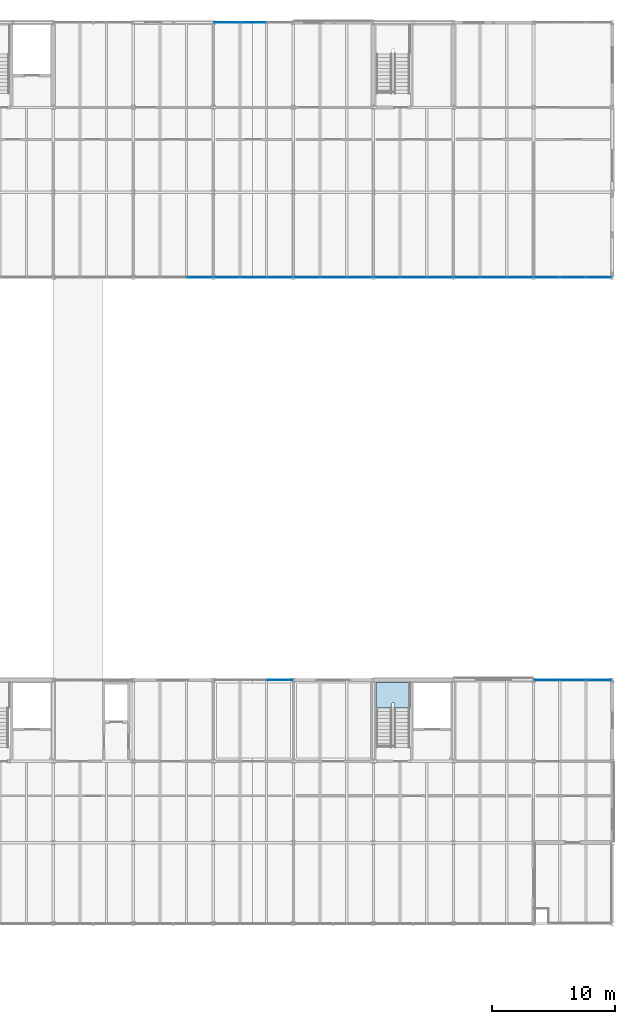
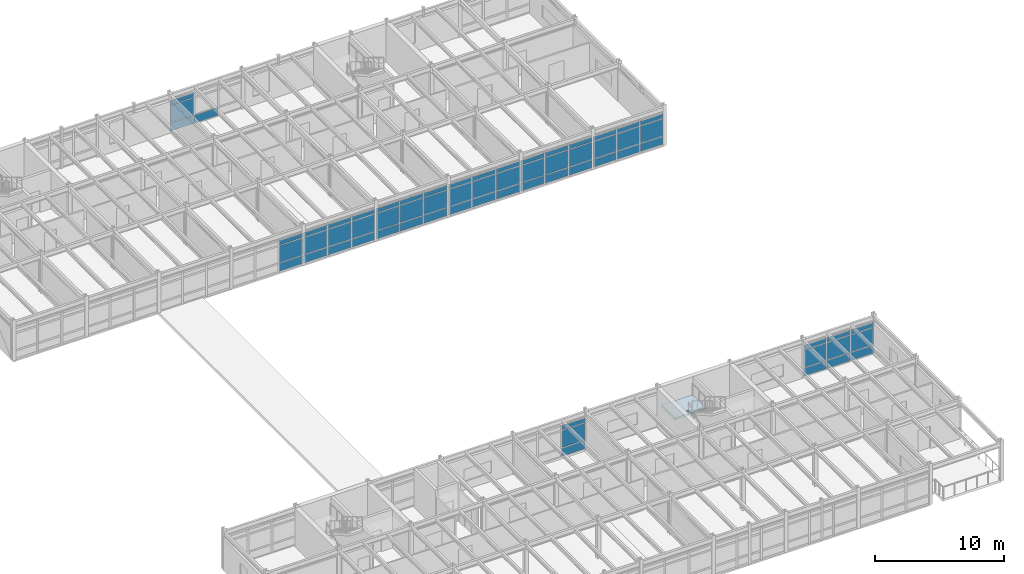
# One storey, part 32 of 49: 64 plates, 1 slab, 10 elements without a shape of their own.
"""IFC4 building model written with IfcOpenShell, lengths in metres."""

from ifc_helpers import new_model, si_unit, direction, frame, origin, origin_2d, place, context, subcontext, project, spatial, polyline, rectangle, outline, extrude, material, layer, layer_set, type_object, element, aggregate, save


model = new_model("IFC4")

# Units and contexts
model_context = context("Model", 3, precision=1e-05, world=origin(), true_north=direction((0.0, 1.0)))
body_context = subcontext(model_context, "Body", "Model", "MODEL_VIEW")
ifc_project = project(units=[si_unit("LENGTHUNIT", "METRE"), si_unit("AREAUNIT", "SQUARE_METRE"), si_unit("VOLUMEUNIT", "CUBIC_METRE"), si_unit("PLANEANGLEUNIT", "RADIAN"), si_unit("MASSUNIT", "GRAM", prefix="KILO")], contexts=[model_context])

# Site, building, storey
site_placement = place(None, origin())
site = spatial("IfcSite", under=ifc_project, at=site_placement, CompositionType="ELEMENT")
building_placement = place(site_placement, origin())
building = spatial("IfcBuilding", under=site, at=building_placement, Name="Trelmorton Wharf Fire Station", CompositionType="ELEMENT")
storey_placement = place(building_placement, frame((0.0, 0.0, 9.60009765625)))
storey = spatial("IfcBuildingStorey", under=building, at=storey_placement, Name="L02", CompositionType="ELEMENT", Elevation=9.60009765625)

# Curtain wall, plates
ifc_material_1 = material(Name="Anodised aluminium AW-6063", Category="aluminium")
ifc_layer_1 = layer(ifc_material_1, 0.14990234375)
ifc_layer_set_1 = layer_set([ifc_layer_1], Name="Anodised aluminium AW-6063")
curtain_wall_type_1 = type_object("IfcCurtainWallType", Name="CW_UNIT_A", PredefinedType="USERDEFINED", material=ifc_layer_set_1)
curtain_wall_1_placement = place(storey_placement, origin())
curtain_wall_1 = element("IfcCurtainWall", 1, at=curtain_wall_1_placement, inside=storey, type_object=curtain_wall_type_1, Name="CW-V5-L02-059", ObjectType="UNITISED CURTAIN WALL", PredefinedType="USERDEFINED")
ifc_material_2 = material(Name="Tempered low-E double glazing", Category="glass")
ifc_layer_2 = layer(ifc_material_2, 0.028076171875)
ifc_layer_set_2 = layer_set([ifc_layer_2], Name="Tempered low-E double glazing")
plate_type_1 = type_object("IfcPlateType", Name="CWP_GLAZ_28", PredefinedType="CURTAIN_PANEL", material=ifc_layer_set_2)
plate_1_placement = place(storey_placement, frame((135.3984375, 27.60009765625, 0.06005859375), z_axis=(0.0, 0.0, 1.0), x_axis=(1.0, 0.0, 0.0)))
plate_1 = element("IfcPlate", 2, at=plate_1_placement, type_object=plate_type_1, Name="CW3 panel 3.1", PredefinedType="CURTAIN_PANEL", context=body_context, shape_type="SweptSolid", body=[
    extrude(rectangle(XDim=2.0732421875, YDim=0.028076171875, at=origin_2d()), origin(), (0.0, 0.0, 1.0), 0.760009765625),
])
plate_2_placement = place(storey_placement, frame((135.3984375, 27.60009765625, 0.8798828125), z_axis=(0.0, 0.0, 1.0), x_axis=(1.0, 0.0, 0.0)))
plate_2 = element("IfcPlate", 3, at=plate_2_placement, type_object=plate_type_1, Name="CW3 panel 3.2", PredefinedType="CURTAIN_PANEL", context=body_context, shape_type="SweptSolid", body=[
    extrude(rectangle(XDim=2.0732421875, YDim=0.028076171875, at=origin_2d()), origin(), (0.0, 0.0, 1.0), 1.610107421875),
])
plate_3_placement = place(storey_placement, frame((135.3984375, 27.60009765625, 2.5498046875), z_axis=(0.0, 0.0, 1.0), x_axis=(1.0, 0.0, 0.0)))
plate_3 = element("IfcPlate", 4, at=plate_3_placement, type_object=plate_type_1, Name="CW3 panel 3.3", PredefinedType="CURTAIN_PANEL", context=body_context, shape_type="SweptSolid", body=[
    extrude(rectangle(XDim=2.0732421875, YDim=0.028076171875, at=origin_2d()), origin(), (0.0, 0.0, 1.0), 0.409912109375),
])
aggregate(curtain_wall_1, [plate_1, plate_2, plate_3])

ifc_layer_3 = layer(ifc_material_1, 0.175048828125)
ifc_layer_set_3 = layer_set([ifc_layer_3], Name="Anodised aluminium AW-6063")
curtain_wall_type_2 = type_object("IfcCurtainWallType", Name="CW_CHIC_B", PredefinedType="USERDEFINED", material=ifc_layer_set_3)
curtain_wall_2_placement = place(storey_placement, origin())
curtain_wall_2 = element("IfcCurtainWall", 5, at=curtain_wall_2_placement, inside=storey, type_object=curtain_wall_type_2, Name="CW-V4-L02-133", ObjectType="CHICAGO BAY CURTAIN WALL", PredefinedType="USERDEFINED")
plate_4_placement = place(storey_placement, frame((128.8984375, 60.300048828125, 0.06005859375), z_axis=(0.0, 0.0, 1.0), x_axis=(-1.0, 0.0, 0.0)))
plate_4 = element("IfcPlate", 6, at=plate_4_placement, type_object=plate_type_1, Name="CW2 panel 1.1", PredefinedType="CURTAIN_PANEL", context=body_context, shape_type="SweptSolid", body=[
    extrude(rectangle(XDim=2.0732421875, YDim=0.028076171875, at=origin_2d()), origin(), (0.0, 0.0, 1.0), 0.760009765625),
])
plate_5_placement = place(storey_placement, frame((128.8984375, 60.300048828125, 0.8798828125), z_axis=(0.0, 0.0, 1.0), x_axis=(-1.0, 0.0, 0.0)))
plate_5 = element("IfcPlate", 7, at=plate_5_placement, type_object=plate_type_1, Name="CW2 panel 1.2", PredefinedType="CURTAIN_PANEL", context=body_context, shape_type="SweptSolid", body=[
    extrude(rectangle(XDim=2.0732421875, YDim=0.028076171875, at=origin_2d()), origin(), (0.0, 0.0, 1.0), 1.610107421875),
])
plate_6_placement = place(storey_placement, frame((128.8984375, 60.300048828125, 2.5498046875), z_axis=(0.0, 0.0, 1.0), x_axis=(-1.0, 0.0, 0.0)))
plate_6 = element("IfcPlate", 8, at=plate_6_placement, type_object=plate_type_1, Name="CW2 panel 1.3", PredefinedType="CURTAIN_PANEL", context=body_context, shape_type="SweptSolid", body=[
    extrude(rectangle(XDim=2.0732421875, YDim=0.028076171875, at=origin_2d()), origin(), (0.0, 0.0, 1.0), 0.409912109375),
])
aggregate(curtain_wall_2, [plate_4, plate_5, plate_6])

curtain_wall_3_placement = place(storey_placement, origin())
curtain_wall_3 = element("IfcCurtainWall", 9, at=curtain_wall_3_placement, inside=storey, type_object=curtain_wall_type_2, Name="CW-V4-L02-134", ObjectType="CHICAGO BAY CURTAIN WALL", PredefinedType="USERDEFINED")
plate_7_placement = place(storey_placement, frame((135.3984375, 60.300048828125, 0.06005859375), z_axis=(0.0, 0.0, 1.0), x_axis=(-1.0, 0.0, 0.0)))
plate_7 = element("IfcPlate", 10, at=plate_7_placement, type_object=plate_type_1, Name="CW2 panel 1.1", PredefinedType="CURTAIN_PANEL", context=body_context, shape_type="SweptSolid", body=[
    extrude(rectangle(XDim=2.0732421875, YDim=0.028076171875, at=origin_2d()), origin(), (0.0, 0.0, 1.0), 0.760009765625),
])
plate_8_placement = place(storey_placement, frame((135.3984375, 60.300048828125, 0.8798828125), z_axis=(0.0, 0.0, 1.0), x_axis=(-1.0, 0.0, 0.0)))
plate_8 = element("IfcPlate", 11, at=plate_8_placement, type_object=plate_type_1, Name="CW2 panel 1.2", PredefinedType="CURTAIN_PANEL", context=body_context, shape_type="SweptSolid", body=[
    extrude(rectangle(XDim=2.0732421875, YDim=0.028076171875, at=origin_2d()), origin(), (0.0, 0.0, 1.0), 1.610107421875),
])
plate_9_placement = place(storey_placement, frame((135.3984375, 60.300048828125, 2.5498046875), z_axis=(0.0, 0.0, 1.0), x_axis=(-1.0, 0.0, 0.0)))
plate_9 = element("IfcPlate", 12, at=plate_9_placement, type_object=plate_type_1, Name="CW2 panel 1.3", PredefinedType="CURTAIN_PANEL", context=body_context, shape_type="SweptSolid", body=[
    extrude(rectangle(XDim=2.0732421875, YDim=0.028076171875, at=origin_2d()), origin(), (0.0, 0.0, 1.0), 0.409912109375),
])
plate_10_placement = place(storey_placement, frame((133.25, 60.300048828125, 0.06005859375), z_axis=(0.0, 0.0, 1.0), x_axis=(-1.0, 0.0, 0.0)))
plate_10 = element("IfcPlate", 13, at=plate_10_placement, type_object=plate_type_1, Name="CW2 panel 2.1", PredefinedType="CURTAIN_PANEL", context=body_context, shape_type="SweptSolid", body=[
    extrude(rectangle(XDim=2.103271484375, YDim=0.028076171875, at=origin_2d()), origin(), (0.0, 0.0, 1.0), 0.760009765625),
])
plate_11_placement = place(storey_placement, frame((133.25, 60.300048828125, 0.8798828125), z_axis=(0.0, 0.0, 1.0), x_axis=(-1.0, 0.0, 0.0)))
plate_11 = element("IfcPlate", 14, at=plate_11_placement, type_object=plate_type_1, Name="CW2 panel 2.2", PredefinedType="CURTAIN_PANEL", context=body_context, shape_type="SweptSolid", body=[
    extrude(rectangle(XDim=2.103271484375, YDim=0.028076171875, at=origin_2d()), origin(), (0.0, 0.0, 1.0), 1.610107421875),
])
plate_12_placement = place(storey_placement, frame((133.25, 60.300048828125, 2.5498046875), z_axis=(0.0, 0.0, 1.0), x_axis=(-1.0, 0.0, 0.0)))
plate_12 = element("IfcPlate", 15, at=plate_12_placement, type_object=plate_type_1, Name="CW2 panel 2.3", PredefinedType="CURTAIN_PANEL", context=body_context, shape_type="SweptSolid", body=[
    extrude(rectangle(XDim=2.103271484375, YDim=0.028076171875, at=origin_2d()), origin(), (0.0, 0.0, 1.0), 0.409912109375),
])
plate_13_placement = place(storey_placement, frame((131.1015625, 60.300048828125, 0.06005859375), z_axis=(0.0, 0.0, 1.0), x_axis=(-1.0, 0.0, 0.0)))
plate_13 = element("IfcPlate", 16, at=plate_13_placement, type_object=plate_type_1, Name="CW2 panel 3.1", PredefinedType="CURTAIN_PANEL", context=body_context, shape_type="SweptSolid", body=[
    extrude(rectangle(XDim=2.0732421875, YDim=0.028076171875, at=origin_2d()), origin(), (0.0, 0.0, 1.0), 0.760009765625),
])
plate_14_placement = place(storey_placement, frame((131.1015625, 60.300048828125, 0.8798828125), z_axis=(0.0, 0.0, 1.0), x_axis=(-1.0, 0.0, 0.0)))
plate_14 = element("IfcPlate", 17, at=plate_14_placement, type_object=plate_type_1, Name="CW2 panel 3.2", PredefinedType="CURTAIN_PANEL", context=body_context, shape_type="SweptSolid", body=[
    extrude(rectangle(XDim=2.0732421875, YDim=0.028076171875, at=origin_2d()), origin(), (0.0, 0.0, 1.0), 1.610107421875),
])
plate_15_placement = place(storey_placement, frame((131.1015625, 60.300048828125, 2.5498046875), z_axis=(0.0, 0.0, 1.0), x_axis=(-1.0, 0.0, 0.0)))
plate_15 = element("IfcPlate", 18, at=plate_15_placement, type_object=plate_type_1, Name="CW2 panel 3.3", PredefinedType="CURTAIN_PANEL", context=body_context, shape_type="SweptSolid", body=[
    extrude(rectangle(XDim=2.0732421875, YDim=0.028076171875, at=origin_2d()), origin(), (0.0, 0.0, 1.0), 0.409912109375),
])
aggregate(curtain_wall_3, [plate_7, plate_8, plate_9, plate_10, plate_11, plate_12, plate_13, plate_14, plate_15])

curtain_wall_4_placement = place(storey_placement, origin())
curtain_wall_4 = element("IfcCurtainWall", 19, at=curtain_wall_4_placement, inside=storey, type_object=curtain_wall_type_2, Name="CW-V4-L02-136", ObjectType="CHICAGO BAY CURTAIN WALL", PredefinedType="USERDEFINED")
plate_16_placement = place(storey_placement, frame((148.3984375, 60.300048828125, 0.06005859375), z_axis=(0.0, 0.0, 1.0), x_axis=(-1.0, 0.0, 0.0)))
plate_16 = element("IfcPlate", 20, at=plate_16_placement, type_object=plate_type_1, Name="CW2 panel 1.1", PredefinedType="CURTAIN_PANEL", context=body_context, shape_type="SweptSolid", body=[
    extrude(rectangle(XDim=2.0732421875, YDim=0.028076171875, at=origin_2d()), origin(), (0.0, 0.0, 1.0), 0.760009765625),
])
plate_17_placement = place(storey_placement, frame((148.3984375, 60.300048828125, 0.8798828125), z_axis=(0.0, 0.0, 1.0), x_axis=(-1.0, 0.0, 0.0)))
plate_17 = element("IfcPlate", 21, at=plate_17_placement, type_object=plate_type_1, Name="CW2 panel 1.2", PredefinedType="CURTAIN_PANEL", context=body_context, shape_type="SweptSolid", body=[
    extrude(rectangle(XDim=2.0732421875, YDim=0.028076171875, at=origin_2d()), origin(), (0.0, 0.0, 1.0), 1.610107421875),
])
plate_18_placement = place(storey_placement, frame((148.3984375, 60.300048828125, 2.5498046875), z_axis=(0.0, 0.0, 1.0), x_axis=(-1.0, 0.0, 0.0)))
plate_18 = element("IfcPlate", 22, at=plate_18_placement, type_object=plate_type_1, Name="CW2 panel 1.3", PredefinedType="CURTAIN_PANEL", context=body_context, shape_type="SweptSolid", body=[
    extrude(rectangle(XDim=2.0732421875, YDim=0.028076171875, at=origin_2d()), origin(), (0.0, 0.0, 1.0), 0.409912109375),
])
plate_19_placement = place(storey_placement, frame((146.25, 60.300048828125, 0.06005859375), z_axis=(0.0, 0.0, 1.0), x_axis=(-1.0, 0.0, 0.0)))
plate_19 = element("IfcPlate", 23, at=plate_19_placement, type_object=plate_type_1, Name="CW2 panel 2.1", PredefinedType="CURTAIN_PANEL", context=body_context, shape_type="SweptSolid", body=[
    extrude(rectangle(XDim=2.103271484375, YDim=0.028076171875, at=origin_2d()), origin(), (0.0, 0.0, 1.0), 0.760009765625),
])
plate_20_placement = place(storey_placement, frame((146.25, 60.300048828125, 0.8798828125), z_axis=(0.0, 0.0, 1.0), x_axis=(-1.0, 0.0, 0.0)))
plate_20 = element("IfcPlate", 24, at=plate_20_placement, type_object=plate_type_1, Name="CW2 panel 2.2", PredefinedType="CURTAIN_PANEL", context=body_context, shape_type="SweptSolid", body=[
    extrude(rectangle(XDim=2.103271484375, YDim=0.028076171875, at=origin_2d()), origin(), (0.0, 0.0, 1.0), 1.610107421875),
])
plate_21_placement = place(storey_placement, frame((146.25, 60.300048828125, 2.5498046875), z_axis=(0.0, 0.0, 1.0), x_axis=(-1.0, 0.0, 0.0)))
plate_21 = element("IfcPlate", 25, at=plate_21_placement, type_object=plate_type_1, Name="CW2 panel 2.3", PredefinedType="CURTAIN_PANEL", context=body_context, shape_type="SweptSolid", body=[
    extrude(rectangle(XDim=2.103271484375, YDim=0.028076171875, at=origin_2d()), origin(), (0.0, 0.0, 1.0), 0.409912109375),
])
plate_22_placement = place(storey_placement, frame((144.1015625, 60.300048828125, 0.06005859375), z_axis=(0.0, 0.0, 1.0), x_axis=(-1.0, 0.0, 0.0)))
plate_22 = element("IfcPlate", 26, at=plate_22_placement, type_object=plate_type_1, Name="CW2 panel 3.1", PredefinedType="CURTAIN_PANEL", context=body_context, shape_type="SweptSolid", body=[
    extrude(rectangle(XDim=2.0732421875, YDim=0.028076171875, at=origin_2d()), origin(), (0.0, 0.0, 1.0), 0.760009765625),
])
plate_23_placement = place(storey_placement, frame((144.1015625, 60.300048828125, 0.8798828125), z_axis=(0.0, 0.0, 1.0), x_axis=(-1.0, 0.0, 0.0)))
plate_23 = element("IfcPlate", 27, at=plate_23_placement, type_object=plate_type_1, Name="CW2 panel 3.2", PredefinedType="CURTAIN_PANEL", context=body_context, shape_type="SweptSolid", body=[
    extrude(rectangle(XDim=2.0732421875, YDim=0.028076171875, at=origin_2d()), origin(), (0.0, 0.0, 1.0), 1.610107421875),
])
plate_24_placement = place(storey_placement, frame((144.1015625, 60.300048828125, 2.5498046875), z_axis=(0.0, 0.0, 1.0), x_axis=(-1.0, 0.0, 0.0)))
plate_24 = element("IfcPlate", 28, at=plate_24_placement, type_object=plate_type_1, Name="CW2 panel 3.3", PredefinedType="CURTAIN_PANEL", context=body_context, shape_type="SweptSolid", body=[
    extrude(rectangle(XDim=2.0732421875, YDim=0.028076171875, at=origin_2d()), origin(), (0.0, 0.0, 1.0), 0.409912109375),
])
aggregate(curtain_wall_4, [plate_16, plate_17, plate_18, plate_19, plate_20, plate_21, plate_22, plate_23, plate_24])

curtain_wall_5_placement = place(storey_placement, origin())
curtain_wall_5 = element("IfcCurtainWall", 29, at=curtain_wall_5_placement, inside=storey, type_object=curtain_wall_type_2, Name="CW-V4-L02-137", ObjectType="CHICAGO BAY CURTAIN WALL", PredefinedType="USERDEFINED")
plate_25_placement = place(storey_placement, frame((154.8984375, 60.300048828125, 0.06005859375), z_axis=(0.0, 0.0, 1.0), x_axis=(-1.0, 0.0, 0.0)))
plate_25 = element("IfcPlate", 30, at=plate_25_placement, type_object=plate_type_1, Name="CW2 panel 1.1", PredefinedType="CURTAIN_PANEL", context=body_context, shape_type="SweptSolid", body=[
    extrude(rectangle(XDim=2.0732421875, YDim=0.028076171875, at=origin_2d()), origin(), (0.0, 0.0, 1.0), 0.760009765625),
])
plate_26_placement = place(storey_placement, frame((154.8984375, 60.300048828125, 0.8798828125), z_axis=(0.0, 0.0, 1.0), x_axis=(-1.0, 0.0, 0.0)))
plate_26 = element("IfcPlate", 31, at=plate_26_placement, type_object=plate_type_1, Name="CW2 panel 1.2", PredefinedType="CURTAIN_PANEL", context=body_context, shape_type="SweptSolid", body=[
    extrude(rectangle(XDim=2.0732421875, YDim=0.028076171875, at=origin_2d()), origin(), (0.0, 0.0, 1.0), 1.610107421875),
])
plate_27_placement = place(storey_placement, frame((154.8984375, 60.300048828125, 2.5498046875), z_axis=(0.0, 0.0, 1.0), x_axis=(-1.0, 0.0, 0.0)))
plate_27 = element("IfcPlate", 32, at=plate_27_placement, type_object=plate_type_1, Name="CW2 panel 1.3", PredefinedType="CURTAIN_PANEL", context=body_context, shape_type="SweptSolid", body=[
    extrude(rectangle(XDim=2.0732421875, YDim=0.028076171875, at=origin_2d()), origin(), (0.0, 0.0, 1.0), 0.409912109375),
])
plate_28_placement = place(storey_placement, frame((152.75, 60.300048828125, 0.06005859375), z_axis=(0.0, 0.0, 1.0), x_axis=(-1.0, 0.0, 0.0)))
plate_28 = element("IfcPlate", 33, at=plate_28_placement, type_object=plate_type_1, Name="CW2 panel 2.1", PredefinedType="CURTAIN_PANEL", context=body_context, shape_type="SweptSolid", body=[
    extrude(rectangle(XDim=2.103271484375, YDim=0.028076171875, at=origin_2d()), origin(), (0.0, 0.0, 1.0), 0.760009765625),
])
plate_29_placement = place(storey_placement, frame((152.75, 60.300048828125, 0.8798828125), z_axis=(0.0, 0.0, 1.0), x_axis=(-1.0, 0.0, 0.0)))
plate_29 = element("IfcPlate", 34, at=plate_29_placement, type_object=plate_type_1, Name="CW2 panel 2.2", PredefinedType="CURTAIN_PANEL", context=body_context, shape_type="SweptSolid", body=[
    extrude(rectangle(XDim=2.103271484375, YDim=0.028076171875, at=origin_2d()), origin(), (0.0, 0.0, 1.0), 1.610107421875),
])
plate_30_placement = place(storey_placement, frame((152.75, 60.300048828125, 2.5498046875), z_axis=(0.0, 0.0, 1.0), x_axis=(-1.0, 0.0, 0.0)))
plate_30 = element("IfcPlate", 35, at=plate_30_placement, type_object=plate_type_1, Name="CW2 panel 2.3", PredefinedType="CURTAIN_PANEL", context=body_context, shape_type="SweptSolid", body=[
    extrude(rectangle(XDim=2.103271484375, YDim=0.028076171875, at=origin_2d()), origin(), (0.0, 0.0, 1.0), 0.409912109375),
])
plate_31_placement = place(storey_placement, frame((150.6015625, 60.300048828125, 0.06005859375), z_axis=(0.0, 0.0, 1.0), x_axis=(-1.0, 0.0, 0.0)))
plate_31 = element("IfcPlate", 36, at=plate_31_placement, type_object=plate_type_1, Name="CW2 panel 3.1", PredefinedType="CURTAIN_PANEL", context=body_context, shape_type="SweptSolid", body=[
    extrude(rectangle(XDim=2.0732421875, YDim=0.028076171875, at=origin_2d()), origin(), (0.0, 0.0, 1.0), 0.760009765625),
])
plate_32_placement = place(storey_placement, frame((150.6015625, 60.300048828125, 0.8798828125), z_axis=(0.0, 0.0, 1.0), x_axis=(-1.0, 0.0, 0.0)))
plate_32 = element("IfcPlate", 37, at=plate_32_placement, type_object=plate_type_1, Name="CW2 panel 3.2", PredefinedType="CURTAIN_PANEL", context=body_context, shape_type="SweptSolid", body=[
    extrude(rectangle(XDim=2.0732421875, YDim=0.028076171875, at=origin_2d()), origin(), (0.0, 0.0, 1.0), 1.610107421875),
])
plate_33_placement = place(storey_placement, frame((150.6015625, 60.300048828125, 2.5498046875), z_axis=(0.0, 0.0, 1.0), x_axis=(-1.0, 0.0, 0.0)))
plate_33 = element("IfcPlate", 38, at=plate_33_placement, type_object=plate_type_1, Name="CW2 panel 3.3", PredefinedType="CURTAIN_PANEL", context=body_context, shape_type="SweptSolid", body=[
    extrude(rectangle(XDim=2.0732421875, YDim=0.028076171875, at=origin_2d()), origin(), (0.0, 0.0, 1.0), 0.409912109375),
])
aggregate(curtain_wall_5, [plate_25, plate_26, plate_27, plate_28, plate_29, plate_30, plate_31, plate_32, plate_33])

curtain_wall_6_placement = place(storey_placement, origin())
curtain_wall_6 = element("IfcCurtainWall", 39, at=curtain_wall_6_placement, inside=storey, type_object=curtain_wall_type_2, Name="CW-V4-L02-135", ObjectType="CHICAGO BAY CURTAIN WALL", PredefinedType="USERDEFINED")
ifc_layer_4 = layer(ifc_material_2, 0.028076171875)
ifc_layer_set_4 = layer_set([ifc_layer_4], Name="Tempered low-E double glazing")
plate_type_2 = type_object("IfcPlateType", Name="CWP_GLAZ_38", PredefinedType="CURTAIN_PANEL", material=ifc_layer_set_4)
plate_34_placement = place(storey_placement, frame((141.8984375, 60.300048828125, 0.06005859375), z_axis=(0.0, 0.0, 1.0), x_axis=(-1.0, 0.0, 0.0)))
plate_34 = element("IfcPlate", 40, at=plate_34_placement, type_object=plate_type_2, Name="CW2 panel 1.1", PredefinedType="CURTAIN_PANEL", context=body_context, shape_type="SweptSolid", body=[
    extrude(rectangle(XDim=2.0732421875, YDim=0.028076171875, at=origin_2d()), origin(), (0.0, 0.0, 1.0), 0.760009765625),
])
plate_35_placement = place(storey_placement, frame((141.8984375, 60.300048828125, 0.8798828125), z_axis=(0.0, 0.0, 1.0), x_axis=(-1.0, 0.0, 0.0)))
plate_35 = element("IfcPlate", 41, at=plate_35_placement, type_object=plate_type_2, Name="CW2 panel 1.2", PredefinedType="CURTAIN_PANEL", context=body_context, shape_type="SweptSolid", body=[
    extrude(rectangle(XDim=2.0732421875, YDim=0.028076171875, at=origin_2d()), origin(), (0.0, 0.0, 1.0), 1.610107421875),
])
plate_36_placement = place(storey_placement, frame((141.8984375, 60.300048828125, 2.5498046875), z_axis=(0.0, 0.0, 1.0), x_axis=(-1.0, 0.0, 0.0)))
plate_36 = element("IfcPlate", 42, at=plate_36_placement, type_object=plate_type_2, Name="CW2 panel 1.3", PredefinedType="CURTAIN_PANEL", context=body_context, shape_type="SweptSolid", body=[
    extrude(rectangle(XDim=2.0732421875, YDim=0.028076171875, at=origin_2d()), origin(), (0.0, 0.0, 1.0), 0.409912109375),
])
plate_37_placement = place(storey_placement, frame((139.75, 60.300048828125, 0.06005859375), z_axis=(0.0, 0.0, 1.0), x_axis=(-1.0, 0.0, 0.0)))
plate_37 = element("IfcPlate", 43, at=plate_37_placement, type_object=plate_type_2, Name="CW2 panel 2.1", PredefinedType="CURTAIN_PANEL", context=body_context, shape_type="SweptSolid", body=[
    extrude(rectangle(XDim=2.103271484375, YDim=0.028076171875, at=origin_2d()), origin(), (0.0, 0.0, 1.0), 0.760009765625),
])
plate_38_placement = place(storey_placement, frame((139.75, 60.300048828125, 0.8798828125), z_axis=(0.0, 0.0, 1.0), x_axis=(-1.0, 0.0, 0.0)))
plate_38 = element("IfcPlate", 44, at=plate_38_placement, type_object=plate_type_2, Name="CW2 panel 2.2", PredefinedType="CURTAIN_PANEL", context=body_context, shape_type="SweptSolid", body=[
    extrude(rectangle(XDim=2.103271484375, YDim=0.028076171875, at=origin_2d()), origin(), (0.0, 0.0, 1.0), 1.610107421875),
])
plate_39_placement = place(storey_placement, frame((139.75, 60.300048828125, 2.5498046875), z_axis=(0.0, 0.0, 1.0), x_axis=(-1.0, 0.0, 0.0)))
plate_39 = element("IfcPlate", 45, at=plate_39_placement, type_object=plate_type_2, Name="CW2 panel 2.3", PredefinedType="CURTAIN_PANEL", context=body_context, shape_type="SweptSolid", body=[
    extrude(rectangle(XDim=2.103271484375, YDim=0.028076171875, at=origin_2d()), origin(), (0.0, 0.0, 1.0), 0.409912109375),
])
plate_40_placement = place(storey_placement, frame((137.6015625, 60.300048828125, 0.06005859375), z_axis=(0.0, 0.0, 1.0), x_axis=(-1.0, 0.0, 0.0)))
plate_40 = element("IfcPlate", 46, at=plate_40_placement, type_object=plate_type_2, Name="CW2 panel 3.1", PredefinedType="CURTAIN_PANEL", context=body_context, shape_type="SweptSolid", body=[
    extrude(rectangle(XDim=2.0732421875, YDim=0.028076171875, at=origin_2d()), origin(), (0.0, 0.0, 1.0), 0.760009765625),
])
plate_41_placement = place(storey_placement, frame((137.6015625, 60.300048828125, 0.8798828125), z_axis=(0.0, 0.0, 1.0), x_axis=(-1.0, 0.0, 0.0)))
plate_41 = element("IfcPlate", 47, at=plate_41_placement, type_object=plate_type_2, Name="CW2 panel 3.2", PredefinedType="CURTAIN_PANEL", context=body_context, shape_type="SweptSolid", body=[
    extrude(rectangle(XDim=2.0732421875, YDim=0.028076171875, at=origin_2d()), origin(), (0.0, 0.0, 1.0), 1.610107421875),
])
plate_42_placement = place(storey_placement, frame((137.6015625, 60.300048828125, 2.5498046875), z_axis=(0.0, 0.0, 1.0), x_axis=(-1.0, 0.0, 0.0)))
plate_42 = element("IfcPlate", 48, at=plate_42_placement, type_object=plate_type_2, Name="CW2 panel 3.3", PredefinedType="CURTAIN_PANEL", context=body_context, shape_type="SweptSolid", body=[
    extrude(rectangle(XDim=2.0732421875, YDim=0.028076171875, at=origin_2d()), origin(), (0.0, 0.0, 1.0), 0.409912109375),
])
aggregate(curtain_wall_6, [plate_34, plate_35, plate_36, plate_37, plate_38, plate_39, plate_40, plate_41, plate_42])

curtain_wall_7_placement = place(storey_placement, origin())
curtain_wall_7 = element("IfcCurtainWall", 49, at=curtain_wall_7_placement, inside=storey, type_object=curtain_wall_type_1, Name="CW-V4-L02-141", ObjectType="UNITISED CURTAIN WALL", PredefinedType="USERDEFINED")
plate_43_placement = place(storey_placement, frame((131.1015625, 81.0, 0.06005859375), z_axis=(0.0, 0.0, 1.0), x_axis=(1.0, 0.0, 0.0)))
plate_43 = element("IfcPlate", 50, at=plate_43_placement, type_object=plate_type_2, Name="CW3 panel 1.1", PredefinedType="CURTAIN_PANEL", context=body_context, shape_type="SweptSolid", body=[
    extrude(rectangle(XDim=2.0732421875, YDim=0.028076171875, at=origin_2d()), origin(), (0.0, 0.0, 1.0), 0.760009765625),
])
plate_44_placement = place(storey_placement, frame((131.1015625, 81.0, 0.8798828125), z_axis=(0.0, 0.0, 1.0), x_axis=(1.0, 0.0, 0.0)))
plate_44 = element("IfcPlate", 51, at=plate_44_placement, type_object=plate_type_2, Name="CW3 panel 1.2", PredefinedType="CURTAIN_PANEL", context=body_context, shape_type="SweptSolid", body=[
    extrude(rectangle(XDim=2.0732421875, YDim=0.028076171875, at=origin_2d()), origin(), (0.0, 0.0, 1.0), 1.610107421875),
])
plate_45_placement = place(storey_placement, frame((131.1015625, 81.0, 2.5498046875), z_axis=(0.0, 0.0, 1.0), x_axis=(1.0, 0.0, 0.0)))
plate_45 = element("IfcPlate", 52, at=plate_45_placement, type_object=plate_type_2, Name="CW3 panel 1.3", PredefinedType="CURTAIN_PANEL", context=body_context, shape_type="SweptSolid", body=[
    extrude(rectangle(XDim=2.0732421875, YDim=0.028076171875, at=origin_2d()), origin(), (0.0, 0.0, 1.0), 0.409912109375),
])
plate_46_placement = place(storey_placement, frame((133.25, 81.0, 0.06005859375), z_axis=(0.0, 0.0, 1.0), x_axis=(1.0, 0.0, 0.0)))
plate_46 = element("IfcPlate", 53, at=plate_46_placement, type_object=plate_type_2, Name="CW3 panel 2.1", PredefinedType="CURTAIN_PANEL", context=body_context, shape_type="SweptSolid", body=[
    extrude(rectangle(XDim=2.103271484375, YDim=0.028076171875, at=origin_2d()), origin(), (0.0, 0.0, 1.0), 0.760009765625),
])
aggregate(curtain_wall_7, [plate_43, plate_44, plate_45, plate_46])

curtain_wall_8_placement = place(storey_placement, origin())
curtain_wall_8 = element("IfcCurtainWall", 54, at=curtain_wall_8_placement, inside=storey, type_object=curtain_wall_type_1, Name="CW-V5-L02-060", ObjectType="UNITISED CURTAIN WALL", PredefinedType="USERDEFINED")
ifc_material_3 = material(Name="Ceramic-fritted spandrel glazing", Category="glass")
ifc_layer_5 = layer(ifc_material_3, 0.028076171875)
ifc_layer_set_5 = layer_set([ifc_layer_5], Name="Ceramic-fritted spandrel glazing")
plate_type_3 = type_object("IfcPlateType", Name="CWP_SPAN_48", PredefinedType="CURTAIN_PANEL", material=ifc_layer_set_5)
plate_47_placement = place(storey_placement, frame((157.0849609375, 27.60009765625, 0.06005859375), z_axis=(0.0, 0.0, 1.0), x_axis=(1.0, 0.0, 0.0)))
plate_47 = element("IfcPlate", 55, at=plate_47_placement, type_object=plate_type_3, Name="CW3 panel 1.1", PredefinedType="CURTAIN_PANEL", context=body_context, shape_type="SweptSolid", body=[
    extrude(rectangle(XDim=2.0400390625, YDim=0.028076171875, at=origin_2d()), origin(), (0.0, 0.0, 1.0), 0.760009765625),
])
plate_48_placement = place(storey_placement, frame((157.0849609375, 27.60009765625, 0.8798828125), z_axis=(0.0, 0.0, 1.0), x_axis=(1.0, 0.0, 0.0)))
plate_48 = element("IfcPlate", 56, at=plate_48_placement, type_object=plate_type_3, Name="CW3 panel 1.2", PredefinedType="CURTAIN_PANEL", context=body_context, shape_type="SweptSolid", body=[
    extrude(rectangle(XDim=2.0400390625, YDim=0.028076171875, at=origin_2d()), origin(), (0.0, 0.0, 1.0), 1.610107421875),
])
plate_49_placement = place(storey_placement, frame((157.0849609375, 27.60009765625, 2.5498046875), z_axis=(0.0, 0.0, 1.0), x_axis=(1.0, 0.0, 0.0)))
plate_49 = element("IfcPlate", 57, at=plate_49_placement, type_object=plate_type_3, Name="CW3 panel 1.3", PredefinedType="CURTAIN_PANEL", context=body_context, shape_type="SweptSolid", body=[
    extrude(rectangle(XDim=2.0400390625, YDim=0.028076171875, at=origin_2d()), origin(), (0.0, 0.0, 1.0), 0.409912109375),
])
plate_50_placement = place(storey_placement, frame((159.199951171875, 27.60009765625, 0.06005859375), z_axis=(0.0, 0.0, 1.0), x_axis=(1.0, 0.0, 0.0)))
plate_50 = element("IfcPlate", 58, at=plate_50_placement, type_object=plate_type_3, Name="CW3 panel 2.1", PredefinedType="CURTAIN_PANEL", context=body_context, shape_type="SweptSolid", body=[
    extrude(rectangle(XDim=2.070068359375, YDim=0.028076171875, at=origin_2d()), origin(), (0.0, 0.0, 1.0), 0.760009765625),
])
plate_51_placement = place(storey_placement, frame((159.199951171875, 27.60009765625, 0.8798828125), z_axis=(0.0, 0.0, 1.0), x_axis=(1.0, 0.0, 0.0)))
plate_51 = element("IfcPlate", 59, at=plate_51_placement, type_object=plate_type_3, Name="CW3 panel 2.2", PredefinedType="CURTAIN_PANEL", context=body_context, shape_type="SweptSolid", body=[
    extrude(rectangle(XDim=2.070068359375, YDim=0.028076171875, at=origin_2d()), origin(), (0.0, 0.0, 1.0), 1.610107421875),
])
plate_52_placement = place(storey_placement, frame((159.199951171875, 27.60009765625, 2.5498046875), z_axis=(0.0, 0.0, 1.0), x_axis=(1.0, 0.0, 0.0)))
plate_52 = element("IfcPlate", 60, at=plate_52_placement, type_object=plate_type_3, Name="CW3 panel 2.3", PredefinedType="CURTAIN_PANEL", context=body_context, shape_type="SweptSolid", body=[
    extrude(rectangle(XDim=2.070068359375, YDim=0.028076171875, at=origin_2d()), origin(), (0.0, 0.0, 1.0), 0.409912109375),
])
plate_53_placement = place(storey_placement, frame((161.31494140625, 27.60009765625, 0.06005859375), z_axis=(0.0, 0.0, 1.0), x_axis=(1.0, 0.0, 0.0)))
plate_53 = element("IfcPlate", 61, at=plate_53_placement, type_object=plate_type_3, Name="CW3 panel 3.1", PredefinedType="CURTAIN_PANEL", context=body_context, shape_type="SweptSolid", body=[
    extrude(rectangle(XDim=2.0400390625, YDim=0.028076171875, at=origin_2d()), origin(), (0.0, 0.0, 1.0), 0.760009765625),
])
plate_54_placement = place(storey_placement, frame((161.31494140625, 27.60009765625, 0.8798828125), z_axis=(0.0, 0.0, 1.0), x_axis=(1.0, 0.0, 0.0)))
plate_54 = element("IfcPlate", 62, at=plate_54_placement, type_object=plate_type_3, Name="CW3 panel 3.2", PredefinedType="CURTAIN_PANEL", context=body_context, shape_type="SweptSolid", body=[
    extrude(rectangle(XDim=2.0400390625, YDim=0.028076171875, at=origin_2d()), origin(), (0.0, 0.0, 1.0), 1.610107421875),
])
plate_55_placement = place(storey_placement, frame((161.31494140625, 27.60009765625, 2.5498046875), z_axis=(0.0, 0.0, 1.0), x_axis=(1.0, 0.0, 0.0)))
plate_55 = element("IfcPlate", 63, at=plate_55_placement, type_object=plate_type_3, Name="CW3 panel 3.3", PredefinedType="CURTAIN_PANEL", context=body_context, shape_type="SweptSolid", body=[
    extrude(rectangle(XDim=2.0400390625, YDim=0.028076171875, at=origin_2d()), origin(), (0.0, 0.0, 1.0), 0.409912109375),
])
aggregate(curtain_wall_8, [plate_47, plate_48, plate_49, plate_50, plate_51, plate_52, plate_53, plate_54, plate_55])

curtain_wall_9_placement = place(storey_placement, origin())
curtain_wall_9 = element("IfcCurtainWall", 64, at=curtain_wall_9_placement, inside=storey, type_object=curtain_wall_type_2, Name="CW-V4-L02-138", ObjectType="CHICAGO BAY CURTAIN WALL", PredefinedType="USERDEFINED")
plate_56_placement = place(storey_placement, frame((161.31494140625, 60.300048828125, 0.06005859375), z_axis=(0.0, 0.0, 1.0), x_axis=(-1.0, 0.0, 0.0)))
plate_56 = element("IfcPlate", 65, at=plate_56_placement, type_object=plate_type_3, Name="CW2 panel 1.1", PredefinedType="CURTAIN_PANEL", context=body_context, shape_type="SweptSolid", body=[
    extrude(rectangle(XDim=2.0400390625, YDim=0.028076171875, at=origin_2d()), origin(), (0.0, 0.0, 1.0), 0.760009765625),
])
plate_57_placement = place(storey_placement, frame((161.31494140625, 60.300048828125, 0.8798828125), z_axis=(0.0, 0.0, 1.0), x_axis=(-1.0, 0.0, 0.0)))
plate_57 = element("IfcPlate", 66, at=plate_57_placement, type_object=plate_type_3, Name="CW2 panel 1.2", PredefinedType="CURTAIN_PANEL", context=body_context, shape_type="SweptSolid", body=[
    extrude(rectangle(XDim=2.0400390625, YDim=0.028076171875, at=origin_2d()), origin(), (0.0, 0.0, 1.0), 1.610107421875),
])
plate_58_placement = place(storey_placement, frame((161.31494140625, 60.300048828125, 2.5498046875), z_axis=(0.0, 0.0, 1.0), x_axis=(-1.0, 0.0, 0.0)))
plate_58 = element("IfcPlate", 67, at=plate_58_placement, type_object=plate_type_3, Name="CW2 panel 1.3", PredefinedType="CURTAIN_PANEL", context=body_context, shape_type="SweptSolid", body=[
    extrude(rectangle(XDim=2.0400390625, YDim=0.028076171875, at=origin_2d()), origin(), (0.0, 0.0, 1.0), 0.409912109375),
])
plate_59_placement = place(storey_placement, frame((159.199951171875, 60.300048828125, 0.06005859375), z_axis=(0.0, 0.0, 1.0), x_axis=(-1.0, 0.0, 0.0)))
plate_59 = element("IfcPlate", 68, at=plate_59_placement, type_object=plate_type_3, Name="CW2 panel 2.1", PredefinedType="CURTAIN_PANEL", context=body_context, shape_type="SweptSolid", body=[
    extrude(rectangle(XDim=2.070068359375, YDim=0.028076171875, at=origin_2d()), origin(), (0.0, 0.0, 1.0), 0.760009765625),
])
plate_60_placement = place(storey_placement, frame((159.199951171875, 60.300048828125, 0.8798828125), z_axis=(0.0, 0.0, 1.0), x_axis=(-1.0, 0.0, 0.0)))
plate_60 = element("IfcPlate", 69, at=plate_60_placement, type_object=plate_type_3, Name="CW2 panel 2.2", PredefinedType="CURTAIN_PANEL", context=body_context, shape_type="SweptSolid", body=[
    extrude(rectangle(XDim=2.070068359375, YDim=0.028076171875, at=origin_2d()), origin(), (0.0, 0.0, 1.0), 1.610107421875),
])
plate_61_placement = place(storey_placement, frame((159.199951171875, 60.300048828125, 2.5498046875), z_axis=(0.0, 0.0, 1.0), x_axis=(-1.0, 0.0, 0.0)))
plate_61 = element("IfcPlate", 70, at=plate_61_placement, type_object=plate_type_3, Name="CW2 panel 2.3", PredefinedType="CURTAIN_PANEL", context=body_context, shape_type="SweptSolid", body=[
    extrude(rectangle(XDim=2.070068359375, YDim=0.028076171875, at=origin_2d()), origin(), (0.0, 0.0, 1.0), 0.409912109375),
])
plate_62_placement = place(storey_placement, frame((157.0849609375, 60.300048828125, 0.06005859375), z_axis=(0.0, 0.0, 1.0), x_axis=(-1.0, 0.0, 0.0)))
plate_62 = element("IfcPlate", 71, at=plate_62_placement, type_object=plate_type_3, Name="CW2 panel 3.1", PredefinedType="CURTAIN_PANEL", context=body_context, shape_type="SweptSolid", body=[
    extrude(rectangle(XDim=2.0400390625, YDim=0.028076171875, at=origin_2d()), origin(), (0.0, 0.0, 1.0), 0.760009765625),
])
plate_63_placement = place(storey_placement, frame((157.0849609375, 60.300048828125, 0.8798828125), z_axis=(0.0, 0.0, 1.0), x_axis=(-1.0, 0.0, 0.0)))
plate_63 = element("IfcPlate", 72, at=plate_63_placement, type_object=plate_type_3, Name="CW2 panel 3.2", PredefinedType="CURTAIN_PANEL", context=body_context, shape_type="SweptSolid", body=[
    extrude(rectangle(XDim=2.0400390625, YDim=0.028076171875, at=origin_2d()), origin(), (0.0, 0.0, 1.0), 1.610107421875),
])
plate_64_placement = place(storey_placement, frame((157.0849609375, 60.300048828125, 2.5498046875), z_axis=(0.0, 0.0, 1.0), x_axis=(-1.0, 0.0, 0.0)))
plate_64 = element("IfcPlate", 73, at=plate_64_placement, type_object=plate_type_3, Name="CW2 panel 3.3", PredefinedType="CURTAIN_PANEL", context=body_context, shape_type="SweptSolid", body=[
    extrude(rectangle(XDim=2.0400390625, YDim=0.028076171875, at=origin_2d()), origin(), (0.0, 0.0, 1.0), 0.409912109375),
])
aggregate(curtain_wall_9, [plate_56, plate_57, plate_58, plate_59, plate_60, plate_61, plate_62, plate_63, plate_64])

# Stair, slab
ifc_material_4 = material(Name="Precast concrete 45 MPa", Category="concrete")
stair_type = type_object("IfcStairType", Name="ST_DOG_390", PredefinedType="HALF_TURN_STAIR", material=ifc_material_4)
stair_placement = place(storey_placement, origin())
stair = element("IfcStair", 74, at=stair_placement, inside=storey, type_object=stair_type, Name="Escape Stair ST5-L02", PredefinedType="HALF_TURN_STAIR")
ifc_layer_6 = layer(ifc_material_4, 0.199951171875)
ifc_layer_set_6 = layer_set([ifc_layer_6], Name="Precast concrete 45 MPa")
slab_type = type_object("IfcSlabType", Name="SL_LAND_180", PredefinedType="LANDING", material=ifc_layer_set_6)
slab_placement = place(storey_placement, frame((0.0, 0.0, 1.75)))
slab = element("IfcSlab", 75, at=slab_placement, type_object=slab_type, Name="ST5-L02 landing 1", PredefinedType="LANDING", context=body_context, shape_type="SweptSolid", body=[
    extrude(outline(polyline([(143.205078125, 25.330078125), (144.5, 25.330078125), (144.5, 25.75), (144.699951171875, 25.75), (144.699951171875, 25.330078125), (146.0048828125, 25.330078125), (146.0048828125, 27.39501953125), (143.205078125, 27.39501953125), (143.205078125, 25.330078125)])), origin(), (0.0, 0.0, 1.0), 0.199951171875),
])
aggregate(stair, [slab])

save(model, "model.ifc")
